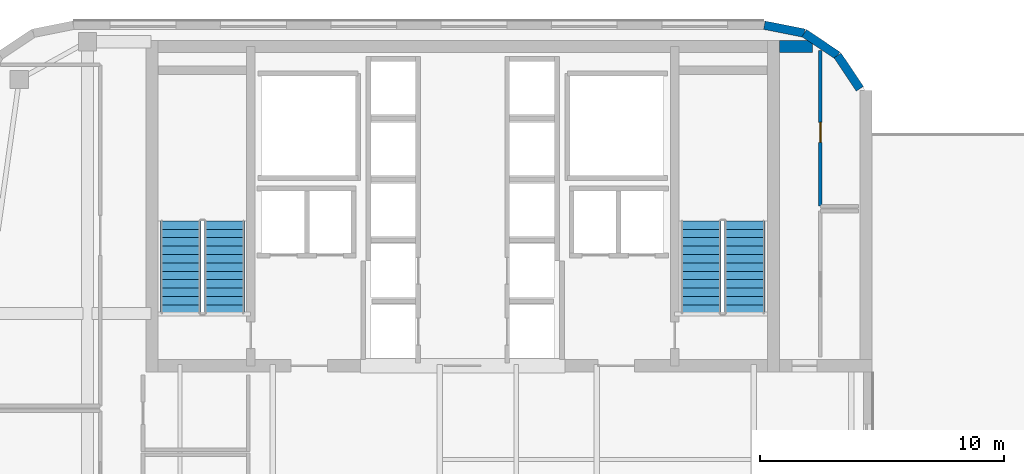
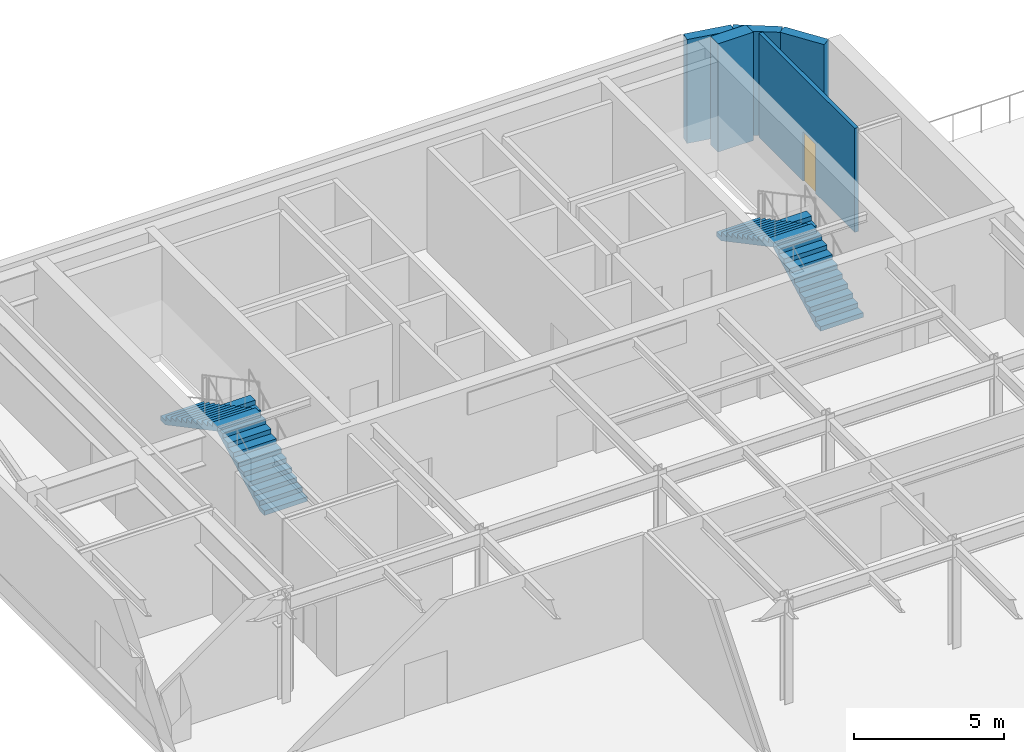
# One storey, part 6 of 10: 5 walls, 4 stair flights, 1 door, 1 opening, 2 elements without a shape of their own.
"""IFC4 building model written with IfcOpenShell, lengths in metres."""

from ifc_helpers import new_model, si_unit, direction, frame, frame_2d, origin, place, context, subcontext, project, spatial, polyline, rectangle, outline, extrude, source, transform, mapped, material, layer, layer_set, type_object, type_shapes, element, fill, aggregate, save


model = new_model("IFC4")

# Units and contexts
model_context = context("Model", 3, precision=1e-05, world=origin(), true_north=direction((0.0, 1.0)))
body_context = subcontext(model_context, "Body", "Model", "MODEL_VIEW")
ifc_project = project(units=[si_unit("LENGTHUNIT", "METRE"), si_unit("AREAUNIT", "SQUARE_METRE"), si_unit("VOLUMEUNIT", "CUBIC_METRE"), si_unit("PLANEANGLEUNIT", "RADIAN"), si_unit("MASSUNIT", "GRAM", prefix="KILO")], contexts=[model_context])

# Site, building, storey
site_placement = place(None, origin())
site = spatial("IfcSite", under=ifc_project, at=site_placement, CompositionType="ELEMENT")
building_placement = place(site_placement, origin())
building = spatial("IfcBuilding", under=site, at=building_placement, Name="Tolvann Quenvar Hotel", CompositionType="ELEMENT")
storey_placement = place(building_placement, frame((0.0, 0.0, 205.300048828125)))
storey = spatial("IfcBuildingStorey", under=building, at=storey_placement, Name="L54", CompositionType="ELEMENT", Elevation=205.300048828125)

# Walls
ifc_material_1 = material(Name="Concrete N50 (50 MPa)", Category="concrete")
ifc_layer_1 = layer(ifc_material_1, 0.5)
ifc_layer_set_1 = layer_set([ifc_layer_1], Name="Concrete N50 (50 MPa)")
wall_type_1 = type_object("IfcWallType", Name="WALL_CORE_500", PredefinedType="SHEAR", material=ifc_layer_set_1)
wall_1_placement = place(storey_placement, frame((36.0, 44.949951171875, 0.0), z_axis=(0.0, 0.0, 1.0), x_axis=(1.0, 0.0, 0.0)))
element("IfcWall", 1, at=wall_1_placement, inside=storey, type_object=wall_type_1, Name="Core East Annex Shear Wall ANN-N (L54)", PredefinedType="SHEAR", context=body_context, shape_type="SweptSolid", body=[
    extrude(rectangle(XDim=1.35009765625, YDim=0.5, at=frame_2d((0.675048828125, 0.0))), origin(), (0.0, 0.0, 1.0), 4.39990234375),
])
ifc_material_2 = material(Name="Kiln-fired red and buff architectural clay brickwork and terracotta masonry", Category="masonry")
ifc_layer_2 = layer(ifc_material_2, 0.35009765625)
ifc_layer_set_2 = layer_set([ifc_layer_2], Name="Kiln-fired red and buff architectural clay brickwork and terracotta masonry")
wall_type_2 = type_object("IfcWallType", Name="WALL_EXT_BRICK_350", PredefinedType="SOLIDWALL", material=ifc_layer_set_2)
for number, where, z_axis, x_axis, name in (
    (2, (39.30029296875, 43.215576171875, 0.0), (0.0, 0.0, 1.0), (-0.555623290322, 0.831434158098, 0.0), "Exterior Chicago Brick Wall L54-E11"),
    (3, (38.385009765625, 44.585205078125, 0.0), (0.0, 0.0, 1.0), (-0.831502623162, 0.555520825599, 0.0), "Exterior Chicago Brick Wall L54-E12"),
):
    element("IfcWall", number, at=place(storey_placement, frame(where, z_axis=z_axis, x_axis=x_axis)), inside=storey, type_object=wall_type_2, Name=name, PredefinedType="SOLIDWALL", context=body_context, shape_type="SweptSolid", body=[
        extrude(rectangle(XDim=1.647216796875, YDim=0.35009765625, at=frame_2d((0.82373046875, 0.0))), origin(), (0.0, 0.0, 1.0), 4.219970703125),
    ])
wall_2_placement = place(storey_placement, frame((37.015380859375, 45.500244140625, 0.0), z_axis=(0.0, 0.0, 1.0), x_axis=(-0.980788844421, 0.195072403631, 0.0)))
element("IfcWall", 4, at=wall_2_placement, inside=storey, type_object=wall_type_2, Name="Exterior Chicago Brick Wall L54-E13", PredefinedType="SOLIDWALL", context=body_context, shape_type="SweptSolid", body=[
    extrude(rectangle(XDim=1.66455078125, YDim=0.35009765625, at=frame_2d((0.832275390625, 0.0))), origin(), (0.0, 0.0, 1.0), 4.219970703125),
])

# Wall, opening, door
ifc_material_3 = material(Name="Acoustic twin-stud fire-rated gypsum plasterboard partition")
ifc_layer_3 = layer(ifc_material_3, 0.14990234375)
ifc_layer_set_3 = layer_set([ifc_layer_3], Name="Acoustic twin-stud fire-rated gypsum plasterboard partition")
wall_type_3 = type_object("IfcWallType", Name="WALL_PART_SUITE_150", PredefinedType="PARTITIONING", material=ifc_layer_set_3)
wall_3_placement = place(storey_placement, frame((37.679931640625, 38.39990234375, 0.0), z_axis=(0.0, 0.0, 1.0), x_axis=(0.0, 1.0, 0.0)))
wall_3 = element("IfcWall", 5, at=wall_3_placement, inside=storey, type_object=wall_type_3, Name="Interior Partition PT-SPC-L54-CSE-1-W", PredefinedType="PARTITIONING", context=body_context, shape_type="SweptSolid", body=[
    extrude(rectangle(XDim=6.380126953125, YDim=0.14990234375, at=frame_2d((3.18994140625, 0.0))), origin(), (0.0, 0.0, 1.0), 4.219970703125),
])
opening_placement = place(wall_3_placement, frame((2.614990234375, 0.0, 0.0)))
opening = element("IfcOpeningElement", 6, at=opening_placement, cuts=wall_3, Name="Opening HD-02", PredefinedType="OPENING", context=body_context, shape_type="SweptSolid", body=[
    extrude(rectangle(XDim=0.820068359375, YDim=2.010009765625, at=frame_2d((0.41015625, 1.0048828125))), frame((0.0, 0.0849609375, 0.0), z_axis=(0.0, -1.0, 0.0), x_axis=(1.0, 0.0, 0.0)), (0.0, 0.0, 1.0), 0.169921875),
])
ifc_material_4 = material(Name="Pressed galvanised steel fire-rated door set", Category="steel")
door_type = type_object("IfcDoorType", Name="DOOR_STORE_820", OperationType="NOTDEFINED", PredefinedType="DOOR", material=ifc_material_4)
shared_shape = source(origin(), body_context, "Body", "SweptSolid", [
    extrude(rectangle(XDim=0.820068359375, YDim=2.010009765625, at=frame_2d((0.41015625, 1.0048828125))), frame((0.0, 0.02490234375, 0.0), z_axis=(0.0, -1.0, 0.0), x_axis=(1.0, 0.0, 0.0)), (0.0, 0.0, 1.0), 0.050048828125),
])
type_shapes(door_type, [shared_shape])
door_placement = place(opening_placement, origin())
door = element("IfcDoor", 7, at=door_placement, inside=storey, type_object=door_type, Name="Interior Door DOOR-SPC-L54-CSE-1", OperationType="SINGLE_SWING_LEFT", OverallHeight=2.010009765625, OverallWidth=0.820068359375, PredefinedType="DOOR", context=body_context, shape_type="MappedRepresentation", body=[
    mapped(shared_shape, transform((0.0, 0.0, 0.0), x_axis=(1.0, 0.0, 0.0), y_axis=(0.0, 1.0, 0.0), z_axis=(0.0, 0.0, 1.0), scale=1.0)),
])
fill(opening, door)

# Stair, stair flights
ifc_material_5 = material(Name="Concrete N40 (40 MPa)", Category="concrete")
stair_type = type_object("IfcStairType", Name="STAIR", PredefinedType="HALF_TURN_STAIR", material=ifc_material_5)
stair_1_placement = place(storey_placement, origin())
stair_1 = element("IfcStair", 8, at=stair_1_placement, inside=storey, type_object=stair_type, Name="L54 ST-C1", PredefinedType="HALF_TURN_STAIR")
stair_flight_type = type_object("IfcStairFlightType", Name="STAIR_FLIGHT", PredefinedType="STRAIGHT", material=ifc_material_5)
stair_flight_1_placement = place(storey_placement, frame((13.22509765625, 34.0, 0.0), z_axis=(0.0, 0.0, 1.0), x_axis=(0.0, 1.0, 0.0)))
stair_flight_1 = element("IfcStairFlight", 9, at=stair_flight_1_placement, type_object=stair_flight_type, Name="ST-C1 flight 1", NumberOfRisers=12, NumberOfTreads=11, PredefinedType="STRAIGHT", RiserHeight=0.183333333, TreadLength=0.345, context=body_context, shape_type="SweptSolid", body=[
    extrude(outline(polyline([(0.0, 0.0), (0.0, 0.183349609375), (0.344970703125, 0.183349609375), (0.344970703125, 0.36669921875), (0.68994140625, 0.36669921875), (0.68994140625, 0.550048828125), (1.034912109375, 0.550048828125), (1.034912109375, 0.7333984375), (1.3798828125, 0.7333984375), (1.3798828125, 0.916748046875), (1.72509765625, 0.916748046875), (1.72509765625, 1.10009765625), (2.070068359375, 1.10009765625), (2.070068359375, 1.283447265625), (2.4150390625, 1.283447265625), (2.4150390625, 1.466552734375), (2.760009765625, 1.466552734375), (2.760009765625, 1.64990234375), (3.10498046875, 1.64990234375), (3.10498046875, 1.833251953125), (3.449951171875, 1.833251953125), (3.449951171875, 2.0166015625), (3.794921875, 2.0166015625), (3.794921875, 2.199951171875), (3.794921875, 1.846923828125), (0.3193359375, 0.0), (0.0, 0.0)])), frame((0.0, 0.824951171875, 0.0), z_axis=(0.0, -1.0, 0.0), x_axis=(1.0, 0.0, 0.0)), (0.0, 0.0, 1.0), 1.64990234375),
])
stair_flight_2_placement = place(storey_placement, frame((11.425048828125, 37.794921875, 2.199951171875), z_axis=(0.0, 0.0, 1.0), x_axis=(0.0, -1.0, 0.0)))
stair_flight_2 = element("IfcStairFlight", 10, at=stair_flight_2_placement, type_object=stair_flight_type, Name="ST-C1 flight 2", NumberOfRisers=12, NumberOfTreads=11, PredefinedType="STRAIGHT", RiserHeight=0.183333333, TreadLength=0.345, context=body_context, shape_type="SweptSolid", body=[
    extrude(outline(polyline([(0.0, 0.0), (0.0, 0.183349609375), (0.344970703125, 0.183349609375), (0.344970703125, 0.36669921875), (0.68994140625, 0.36669921875), (0.68994140625, 0.550048828125), (1.034912109375, 0.550048828125), (1.034912109375, 0.7333984375), (1.3798828125, 0.7333984375), (1.3798828125, 0.916748046875), (1.72509765625, 0.916748046875), (1.72509765625, 1.10009765625), (2.070068359375, 1.10009765625), (2.070068359375, 1.283447265625), (2.4150390625, 1.283447265625), (2.4150390625, 1.466552734375), (2.760009765625, 1.466552734375), (2.760009765625, 1.64990234375), (3.10498046875, 1.64990234375), (3.10498046875, 1.833251953125), (3.449951171875, 1.833251953125), (3.449951171875, 2.0166015625), (3.794921875, 2.0166015625), (3.794921875, 2.199951171875), (3.794921875, 1.846923828125), (0.3193359375, 0.0), (0.0, 0.0)])), frame((0.0, 0.824951171875, 0.0), z_axis=(0.0, -1.0, 0.0), x_axis=(1.0, 0.0, 0.0)), (0.0, 0.0, 1.0), 1.64990234375),
])
aggregate(stair_1, [stair_flight_1, stair_flight_2])

stair_2_placement = place(storey_placement, origin())
stair_2 = element("IfcStair", 11, at=stair_2_placement, inside=storey, type_object=stair_type, Name="L54 ST-C2", PredefinedType="HALF_TURN_STAIR")
stair_flight_3_placement = place(storey_placement, frame((34.574951171875, 34.0, 0.0), z_axis=(0.0, 0.0, 1.0), x_axis=(0.0, 1.0, 0.0)))
stair_flight_3 = element("IfcStairFlight", 12, at=stair_flight_3_placement, type_object=stair_flight_type, Name="ST-C2 flight 1", NumberOfRisers=12, NumberOfTreads=11, PredefinedType="STRAIGHT", RiserHeight=0.183333333, TreadLength=0.345, context=body_context, shape_type="SweptSolid", body=[
    extrude(outline(polyline([(0.0, 0.0), (0.0, 0.183349609375), (0.344970703125, 0.183349609375), (0.344970703125, 0.36669921875), (0.68994140625, 0.36669921875), (0.68994140625, 0.550048828125), (1.034912109375, 0.550048828125), (1.034912109375, 0.7333984375), (1.3798828125, 0.7333984375), (1.3798828125, 0.916748046875), (1.72509765625, 0.916748046875), (1.72509765625, 1.10009765625), (2.070068359375, 1.10009765625), (2.070068359375, 1.283447265625), (2.4150390625, 1.283447265625), (2.4150390625, 1.466552734375), (2.760009765625, 1.466552734375), (2.760009765625, 1.64990234375), (3.10498046875, 1.64990234375), (3.10498046875, 1.833251953125), (3.449951171875, 1.833251953125), (3.449951171875, 2.0166015625), (3.794921875, 2.0166015625), (3.794921875, 2.199951171875), (3.794921875, 1.846923828125), (0.3193359375, 0.0), (0.0, 0.0)])), frame((0.0, 0.824951171875, 0.0), z_axis=(0.0, -1.0, 0.0), x_axis=(1.0, 0.0, 0.0)), (0.0, 0.0, 1.0), 1.64990234375),
])
stair_flight_4_placement = place(storey_placement, frame((32.77490234375, 37.794921875, 2.199951171875), z_axis=(0.0, 0.0, 1.0), x_axis=(0.0, -1.0, 0.0)))
stair_flight_4 = element("IfcStairFlight", 13, at=stair_flight_4_placement, type_object=stair_flight_type, Name="ST-C2 flight 2", NumberOfRisers=12, NumberOfTreads=11, PredefinedType="STRAIGHT", RiserHeight=0.183333333, TreadLength=0.345, context=body_context, shape_type="SweptSolid", body=[
    extrude(outline(polyline([(0.0, 0.0), (0.0, 0.183349609375), (0.344970703125, 0.183349609375), (0.344970703125, 0.36669921875), (0.68994140625, 0.36669921875), (0.68994140625, 0.550048828125), (1.034912109375, 0.550048828125), (1.034912109375, 0.7333984375), (1.3798828125, 0.7333984375), (1.3798828125, 0.916748046875), (1.72509765625, 0.916748046875), (1.72509765625, 1.10009765625), (2.070068359375, 1.10009765625), (2.070068359375, 1.283447265625), (2.4150390625, 1.283447265625), (2.4150390625, 1.466552734375), (2.760009765625, 1.466552734375), (2.760009765625, 1.64990234375), (3.10498046875, 1.64990234375), (3.10498046875, 1.833251953125), (3.449951171875, 1.833251953125), (3.449951171875, 2.0166015625), (3.794921875, 2.0166015625), (3.794921875, 2.199951171875), (3.794921875, 1.846923828125), (0.3193359375, 0.0), (0.0, 0.0)])), frame((0.0, 0.824951171875, 0.0), z_axis=(0.0, -1.0, 0.0), x_axis=(1.0, 0.0, 0.0)), (0.0, 0.0, 1.0), 1.64990234375),
])
aggregate(stair_2, [stair_flight_3, stair_flight_4])

save(model, "model.ifc")
